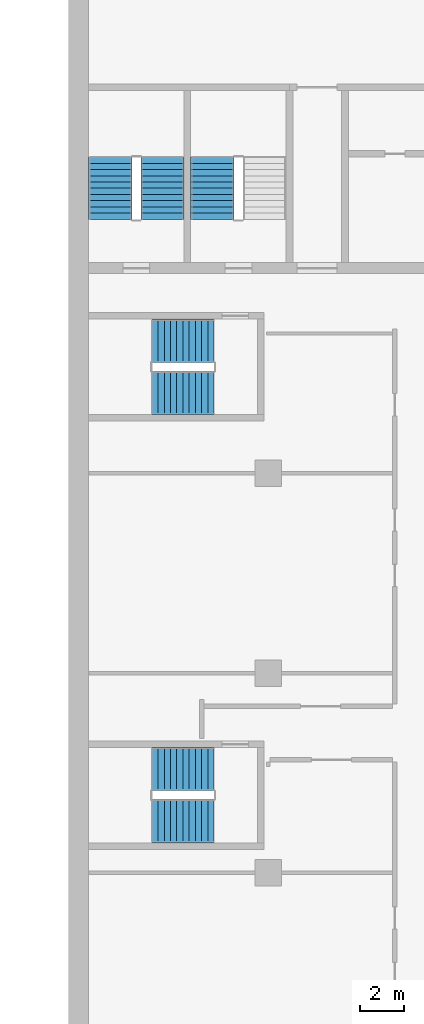
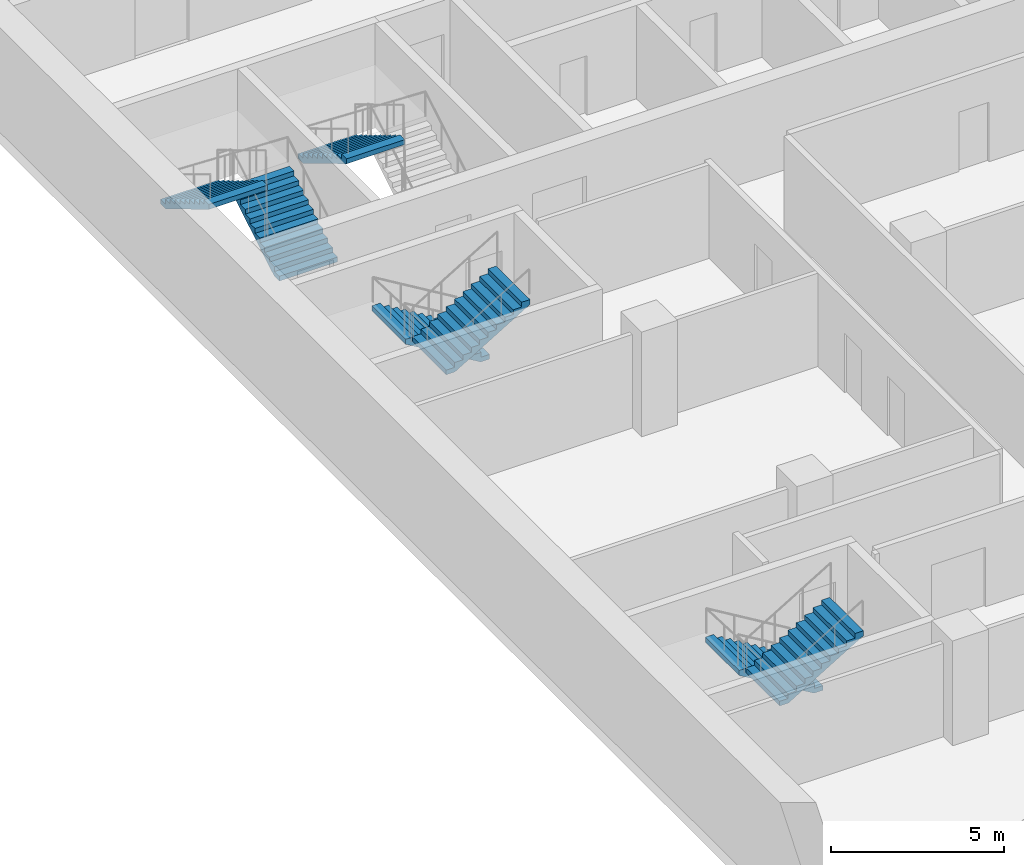
# One storey, part 15 of 22: 7 stair flights, 4 elements without a shape of their own.
"""IFC4 building model written with IfcOpenShell, lengths in metres."""

from ifc_helpers import new_model, si_unit, direction, frame, origin, place, context, subcontext, project, spatial, polyline, outline, extrude, material, type_object, element, aggregate, save


model = new_model("IFC4")

# Units and contexts
model_context = context("Model", 3, precision=1e-05, world=origin(), true_north=direction((0.0, 1.0)))
body_context = subcontext(model_context, "Body", "Model", "MODEL_VIEW")
ifc_project = project(units=[si_unit("LENGTHUNIT", "METRE"), si_unit("AREAUNIT", "SQUARE_METRE"), si_unit("VOLUMEUNIT", "CUBIC_METRE"), si_unit("PLANEANGLEUNIT", "RADIAN"), si_unit("MASSUNIT", "GRAM", prefix="KILO")], contexts=[model_context])

# Site, building, storey
site_placement = place(None, origin())
site = spatial("IfcSite", under=ifc_project, at=site_placement, CompositionType="ELEMENT")
building_placement = place(site_placement, origin())
building = spatial("IfcBuilding", under=site, at=building_placement, Name="Hunhe Ridgeline Campus", CompositionType="ELEMENT")
storey_placement = place(building_placement, frame((0.0, 0.0, 156.0)))
storey = spatial("IfcBuildingStorey", under=building, at=storey_placement, Name="L39", CompositionType="ELEMENT", Elevation=156.0)

# Stair, stair flights
ifc_material = material(Name="Concrete C40", Category="concrete")
stair_type = type_object("IfcStairType", Name="Reinforced concrete dog-leg stair 1950 Concrete C40", PredefinedType="HALF_TURN_STAIR", material=ifc_material)
stair_1_placement = place(storey_placement, origin())
stair_1 = element("IfcStair", 1, at=stair_1_placement, inside=storey, type_object=stair_type, Name="L39 S3", PredefinedType="HALF_TURN_STAIR")
stair_flight_type = type_object("IfcStairFlightType", Name="Reinforced concrete stair flight 1950 Concrete C40", PredefinedType="STRAIGHT", material=ifc_material)
stair_flight_1_placement = place(storey_placement, frame((4.22509765625, 65.449951171875, 0.0), z_axis=(0.0, 0.0, 1.0), x_axis=(0.0, 1.0, 0.0)))
stair_flight_1 = element("IfcStairFlight", 2, at=stair_flight_1_placement, type_object=stair_flight_type, Name="ST3 flight 1", NumberOfRisers=11, NumberOfTreads=10, PredefinedType="STRAIGHT", RiserHeight=0.168181818, TreadLength=0.28, context=body_context, shape_type="SweptSolid", body=[
    extrude(outline(polyline([(0.0, 0.0), (0.0, 0.168212890625), (0.280029296875, 0.168212890625), (0.280029296875, 0.33642578125), (0.56005859375, 0.33642578125), (0.56005859375, 0.504638671875), (0.840087890625, 0.504638671875), (0.840087890625, 0.672607421875), (1.1201171875, 0.672607421875), (1.1201171875, 0.8408203125), (1.39990234375, 0.8408203125), (1.39990234375, 1.009033203125), (1.679931640625, 1.009033203125), (1.679931640625, 1.17724609375), (1.9599609375, 1.17724609375), (1.9599609375, 1.345458984375), (2.239990234375, 1.345458984375), (2.239990234375, 1.513671875), (2.52001953125, 1.513671875), (2.52001953125, 1.681884765625), (2.800048828125, 1.681884765625), (2.800048828125, 1.85009765625), (2.800048828125, 1.5068359375), (0.291015625, 0.0), (0.0, 0.0)])), frame((0.0, 0.97509765625, 0.0), z_axis=(0.0, -1.0, 0.0), x_axis=(1.0, 0.0, 0.0)), (0.0, 0.0, 1.0), 1.949951171875),
    extrude(outline(polyline([(0.030029296875, 0.030029296875), (0.030029296875, 0.13818359375), (0.31005859375, 0.13818359375), (0.31005859375, 0.306396484375), (0.590087890625, 0.306396484375), (0.590087890625, 0.474609375), (0.8701171875, 0.474609375), (0.8701171875, 0.642578125), (1.14990234375, 0.642578125), (1.14990234375, 0.810791015625), (1.429931640625, 0.810791015625), (1.429931640625, 0.97900390625), (1.7099609375, 0.97900390625), (1.7099609375, 1.147216796875), (1.989990234375, 1.147216796875), (1.989990234375, 1.3154296875), (2.27001953125, 1.3154296875), (2.27001953125, 1.483642578125), (2.550048828125, 1.483642578125), (2.550048828125, 1.65185546875), (2.77001953125, 1.65185546875), (2.77001953125, 1.52392578125), (0.28271484375, 0.030029296875), (0.030029296875, 0.030029296875)])), frame((0.0, -0.070068359375, 0.0), z_axis=(0.0, -1.0, 0.0), x_axis=(1.0, 0.0, 0.0)), (0.0, 0.0, 1.0), 0.019775390625),
    extrude(outline(polyline([(0.030029296875, 0.030029296875), (0.030029296875, 0.13818359375), (0.31005859375, 0.13818359375), (0.31005859375, 0.306396484375), (0.590087890625, 0.306396484375), (0.590087890625, 0.474609375), (0.8701171875, 0.474609375), (0.8701171875, 0.642578125), (1.14990234375, 0.642578125), (1.14990234375, 0.810791015625), (1.429931640625, 0.810791015625), (1.429931640625, 0.97900390625), (1.7099609375, 0.97900390625), (1.7099609375, 1.147216796875), (1.989990234375, 1.147216796875), (1.989990234375, 1.3154296875), (2.27001953125, 1.3154296875), (2.27001953125, 1.483642578125), (2.550048828125, 1.483642578125), (2.550048828125, 1.65185546875), (2.77001953125, 1.65185546875), (2.77001953125, 1.52392578125), (0.28271484375, 0.030029296875), (0.030029296875, 0.030029296875)])), frame((0.0, 0.010009765625, 0.0), z_axis=(0.0, -1.0, 0.0), x_axis=(1.0, 0.0, 0.0)), (0.0, 0.0, 1.0), 0.019775390625),
    extrude(outline(polyline([(0.030029296875, 0.030029296875), (0.030029296875, 0.13818359375), (0.31005859375, 0.13818359375), (0.31005859375, 0.306396484375), (0.590087890625, 0.306396484375), (0.590087890625, 0.474609375), (0.8701171875, 0.474609375), (0.8701171875, 0.642578125), (1.14990234375, 0.642578125), (1.14990234375, 0.810791015625), (1.429931640625, 0.810791015625), (1.429931640625, 0.97900390625), (1.7099609375, 0.97900390625), (1.7099609375, 1.147216796875), (1.989990234375, 1.147216796875), (1.989990234375, 1.3154296875), (2.27001953125, 1.3154296875), (2.27001953125, 1.483642578125), (2.550048828125, 1.483642578125), (2.550048828125, 1.65185546875), (2.77001953125, 1.65185546875), (2.77001953125, 1.52392578125), (0.28271484375, 0.030029296875), (0.030029296875, 0.030029296875)])), frame((0.0, 0.090087890625, 0.0), z_axis=(0.0, -1.0, 0.0), x_axis=(1.0, 0.0, 0.0)), (0.0, 0.0, 1.0), 0.019775390625),
])
stair_flight_2_placement = place(storey_placement, frame((1.875, 68.25, 1.85009765625), z_axis=(0.0, 0.0, 1.0), x_axis=(0.0, -1.0, 0.0)))
stair_flight_2 = element("IfcStairFlight", 3, at=stair_flight_2_placement, type_object=stair_flight_type, Name="ST3 flight 2", NumberOfRisers=11, NumberOfTreads=10, PredefinedType="STRAIGHT", RiserHeight=0.168181818, TreadLength=0.28, context=body_context, shape_type="SweptSolid", body=[
    extrude(outline(polyline([(0.0, 0.0), (0.0, 0.168212890625), (0.280029296875, 0.168212890625), (0.280029296875, 0.33642578125), (0.56005859375, 0.33642578125), (0.56005859375, 0.504638671875), (0.840087890625, 0.504638671875), (0.840087890625, 0.672607421875), (1.1201171875, 0.672607421875), (1.1201171875, 0.8408203125), (1.39990234375, 0.8408203125), (1.39990234375, 1.009033203125), (1.679931640625, 1.009033203125), (1.679931640625, 1.17724609375), (1.9599609375, 1.17724609375), (1.9599609375, 1.345458984375), (2.239990234375, 1.345458984375), (2.239990234375, 1.513671875), (2.52001953125, 1.513671875), (2.52001953125, 1.681884765625), (2.800048828125, 1.681884765625), (2.800048828125, 1.85009765625), (2.800048828125, 1.5068359375), (0.291015625, 0.0), (0.0, 0.0)])), frame((0.0, 0.97509765625, 0.0), z_axis=(0.0, -1.0, 0.0), x_axis=(1.0, 0.0, 0.0)), (0.0, 0.0, 1.0), 1.949951171875),
    extrude(outline(polyline([(0.030029296875, 0.030029296875), (0.030029296875, 0.13818359375), (0.31005859375, 0.13818359375), (0.31005859375, 0.306396484375), (0.590087890625, 0.306396484375), (0.590087890625, 0.474609375), (0.8701171875, 0.474609375), (0.8701171875, 0.642578125), (1.14990234375, 0.642578125), (1.14990234375, 0.810791015625), (1.429931640625, 0.810791015625), (1.429931640625, 0.97900390625), (1.7099609375, 0.97900390625), (1.7099609375, 1.147216796875), (1.989990234375, 1.147216796875), (1.989990234375, 1.3154296875), (2.27001953125, 1.3154296875), (2.27001953125, 1.483642578125), (2.550048828125, 1.483642578125), (2.550048828125, 1.65185546875), (2.77001953125, 1.65185546875), (2.77001953125, 1.52392578125), (0.28271484375, 0.030029296875), (0.030029296875, 0.030029296875)])), frame((0.0, -0.070068359375, 0.0), z_axis=(0.0, -1.0, 0.0), x_axis=(1.0, 0.0, 0.0)), (0.0, 0.0, 1.0), 0.019775390625),
    extrude(outline(polyline([(0.030029296875, 0.030029296875), (0.030029296875, 0.13818359375), (0.31005859375, 0.13818359375), (0.31005859375, 0.306396484375), (0.590087890625, 0.306396484375), (0.590087890625, 0.474609375), (0.8701171875, 0.474609375), (0.8701171875, 0.642578125), (1.14990234375, 0.642578125), (1.14990234375, 0.810791015625), (1.429931640625, 0.810791015625), (1.429931640625, 0.97900390625), (1.7099609375, 0.97900390625), (1.7099609375, 1.147216796875), (1.989990234375, 1.147216796875), (1.989990234375, 1.3154296875), (2.27001953125, 1.3154296875), (2.27001953125, 1.483642578125), (2.550048828125, 1.483642578125), (2.550048828125, 1.65185546875), (2.77001953125, 1.65185546875), (2.77001953125, 1.52392578125), (0.28271484375, 0.030029296875), (0.030029296875, 0.030029296875)])), frame((0.0, 0.010009765625, 0.0), z_axis=(0.0, -1.0, 0.0), x_axis=(1.0, 0.0, 0.0)), (0.0, 0.0, 1.0), 0.019775390625),
    extrude(outline(polyline([(0.030029296875, 0.030029296875), (0.030029296875, 0.13818359375), (0.31005859375, 0.13818359375), (0.31005859375, 0.306396484375), (0.590087890625, 0.306396484375), (0.590087890625, 0.474609375), (0.8701171875, 0.474609375), (0.8701171875, 0.642578125), (1.14990234375, 0.642578125), (1.14990234375, 0.810791015625), (1.429931640625, 0.810791015625), (1.429931640625, 0.97900390625), (1.7099609375, 0.97900390625), (1.7099609375, 1.147216796875), (1.989990234375, 1.147216796875), (1.989990234375, 1.3154296875), (2.27001953125, 1.3154296875), (2.27001953125, 1.483642578125), (2.550048828125, 1.483642578125), (2.550048828125, 1.65185546875), (2.77001953125, 1.65185546875), (2.77001953125, 1.52392578125), (0.28271484375, 0.030029296875), (0.030029296875, 0.030029296875)])), frame((0.0, 0.090087890625, 0.0), z_axis=(0.0, -1.0, 0.0), x_axis=(1.0, 0.0, 0.0)), (0.0, 0.0, 1.0), 0.019775390625),
])
aggregate(stair_1, [stair_flight_1, stair_flight_2])

# Stair, stair flight
stair_2_placement = place(storey_placement, origin())
stair_2 = element("IfcStair", 4, at=stair_2_placement, inside=storey, type_object=stair_type, Name="L39 S4", PredefinedType="HALF_TURN_STAIR")
stair_flight_3_placement = place(storey_placement, frame((6.47509765625, 68.25, 1.85009765625), z_axis=(0.0, 0.0, 1.0), x_axis=(0.0, -1.0, 0.0)))
stair_flight_3 = element("IfcStairFlight", 5, at=stair_flight_3_placement, type_object=stair_flight_type, Name="ST4 flight 2", NumberOfRisers=11, NumberOfTreads=10, PredefinedType="STRAIGHT", RiserHeight=0.168181818, TreadLength=0.28, context=body_context, shape_type="SweptSolid", body=[
    extrude(outline(polyline([(0.0, 0.0), (0.0, 0.168212890625), (0.280029296875, 0.168212890625), (0.280029296875, 0.33642578125), (0.56005859375, 0.33642578125), (0.56005859375, 0.504638671875), (0.840087890625, 0.504638671875), (0.840087890625, 0.672607421875), (1.1201171875, 0.672607421875), (1.1201171875, 0.8408203125), (1.39990234375, 0.8408203125), (1.39990234375, 1.009033203125), (1.679931640625, 1.009033203125), (1.679931640625, 1.17724609375), (1.9599609375, 1.17724609375), (1.9599609375, 1.345458984375), (2.239990234375, 1.345458984375), (2.239990234375, 1.513671875), (2.52001953125, 1.513671875), (2.52001953125, 1.681884765625), (2.800048828125, 1.681884765625), (2.800048828125, 1.85009765625), (2.800048828125, 1.5068359375), (0.291015625, 0.0), (0.0, 0.0)])), frame((0.0, 0.97509765625, 0.0), z_axis=(0.0, -1.0, 0.0), x_axis=(1.0, 0.0, 0.0)), (0.0, 0.0, 1.0), 1.949951171875),
    extrude(outline(polyline([(0.030029296875, 0.030029296875), (0.030029296875, 0.13818359375), (0.31005859375, 0.13818359375), (0.31005859375, 0.306396484375), (0.590087890625, 0.306396484375), (0.590087890625, 0.474609375), (0.8701171875, 0.474609375), (0.8701171875, 0.642578125), (1.14990234375, 0.642578125), (1.14990234375, 0.810791015625), (1.429931640625, 0.810791015625), (1.429931640625, 0.97900390625), (1.7099609375, 0.97900390625), (1.7099609375, 1.147216796875), (1.989990234375, 1.147216796875), (1.989990234375, 1.3154296875), (2.27001953125, 1.3154296875), (2.27001953125, 1.483642578125), (2.550048828125, 1.483642578125), (2.550048828125, 1.65185546875), (2.77001953125, 1.65185546875), (2.77001953125, 1.52392578125), (0.28271484375, 0.030029296875), (0.030029296875, 0.030029296875)])), frame((0.0, -0.070068359375, 0.0), z_axis=(0.0, -1.0, 0.0), x_axis=(1.0, 0.0, 0.0)), (0.0, 0.0, 1.0), 0.019775390625),
    extrude(outline(polyline([(0.030029296875, 0.030029296875), (0.030029296875, 0.13818359375), (0.31005859375, 0.13818359375), (0.31005859375, 0.306396484375), (0.590087890625, 0.306396484375), (0.590087890625, 0.474609375), (0.8701171875, 0.474609375), (0.8701171875, 0.642578125), (1.14990234375, 0.642578125), (1.14990234375, 0.810791015625), (1.429931640625, 0.810791015625), (1.429931640625, 0.97900390625), (1.7099609375, 0.97900390625), (1.7099609375, 1.147216796875), (1.989990234375, 1.147216796875), (1.989990234375, 1.3154296875), (2.27001953125, 1.3154296875), (2.27001953125, 1.483642578125), (2.550048828125, 1.483642578125), (2.550048828125, 1.65185546875), (2.77001953125, 1.65185546875), (2.77001953125, 1.52392578125), (0.28271484375, 0.030029296875), (0.030029296875, 0.030029296875)])), frame((0.0, 0.010009765625, 0.0), z_axis=(0.0, -1.0, 0.0), x_axis=(1.0, 0.0, 0.0)), (0.0, 0.0, 1.0), 0.019775390625),
    extrude(outline(polyline([(0.030029296875, 0.030029296875), (0.030029296875, 0.13818359375), (0.31005859375, 0.13818359375), (0.31005859375, 0.306396484375), (0.590087890625, 0.306396484375), (0.590087890625, 0.474609375), (0.8701171875, 0.474609375), (0.8701171875, 0.642578125), (1.14990234375, 0.642578125), (1.14990234375, 0.810791015625), (1.429931640625, 0.810791015625), (1.429931640625, 0.97900390625), (1.7099609375, 0.97900390625), (1.7099609375, 1.147216796875), (1.989990234375, 1.147216796875), (1.989990234375, 1.3154296875), (2.27001953125, 1.3154296875), (2.27001953125, 1.483642578125), (2.550048828125, 1.483642578125), (2.550048828125, 1.65185546875), (2.77001953125, 1.65185546875), (2.77001953125, 1.52392578125), (0.28271484375, 0.030029296875), (0.030029296875, 0.030029296875)])), frame((0.0, 0.090087890625, 0.0), z_axis=(0.0, -1.0, 0.0), x_axis=(1.0, 0.0, 0.0)), (0.0, 0.0, 1.0), 0.019775390625),
])
aggregate(stair_2, [stair_flight_3])

# Stair, stair flights
stair_3_placement = place(storey_placement, origin())
stair_3 = element("IfcStair", 6, at=stair_3_placement, inside=storey, type_object=stair_type, Name="L39 W1", PredefinedType="HALF_TURN_STAIR")
stair_flight_4_placement = place(storey_placement, frame((6.550048828125, 40.675048828125, 0.0), z_axis=(0.0, 0.0, 1.0), x_axis=(-1.0, 0.0, 0.0)))
stair_flight_4 = element("IfcStairFlight", 7, at=stair_flight_4_placement, type_object=stair_flight_type, Name="ST11 flight 1", NumberOfRisers=11, NumberOfTreads=10, PredefinedType="STRAIGHT", RiserHeight=0.168181818, TreadLength=0.28, context=body_context, shape_type="SweptSolid", body=[
    extrude(outline(polyline([(0.0, 0.0), (0.0, 0.168212890625), (0.280029296875, 0.168212890625), (0.280029296875, 0.33642578125), (0.56005859375, 0.33642578125), (0.56005859375, 0.504638671875), (0.840087890625, 0.504638671875), (0.840087890625, 0.672607421875), (1.1201171875, 0.672607421875), (1.1201171875, 0.8408203125), (1.39990234375, 0.8408203125), (1.39990234375, 1.009033203125), (1.679931640625, 1.009033203125), (1.679931640625, 1.17724609375), (1.9599609375, 1.17724609375), (1.9599609375, 1.345458984375), (2.239990234375, 1.345458984375), (2.239990234375, 1.513671875), (2.52001953125, 1.513671875), (2.52001953125, 1.681884765625), (2.800048828125, 1.681884765625), (2.800048828125, 1.85009765625), (2.800048828125, 1.5068359375), (0.291015625, 0.0), (0.0, 0.0)])), frame((0.0, 0.97509765625, 0.0), z_axis=(0.0, -1.0, 0.0), x_axis=(1.0, 0.0, 0.0)), (0.0, 0.0, 1.0), 1.949951171875),
    extrude(outline(polyline([(0.030029296875, 0.030029296875), (0.030029296875, 0.13818359375), (0.31005859375, 0.13818359375), (0.31005859375, 0.306396484375), (0.590087890625, 0.306396484375), (0.590087890625, 0.474609375), (0.8701171875, 0.474609375), (0.8701171875, 0.642578125), (1.14990234375, 0.642578125), (1.14990234375, 0.810791015625), (1.429931640625, 0.810791015625), (1.429931640625, 0.97900390625), (1.7099609375, 0.97900390625), (1.7099609375, 1.147216796875), (1.989990234375, 1.147216796875), (1.989990234375, 1.3154296875), (2.27001953125, 1.3154296875), (2.27001953125, 1.483642578125), (2.550048828125, 1.483642578125), (2.550048828125, 1.65185546875), (2.77001953125, 1.65185546875), (2.77001953125, 1.52392578125), (0.28271484375, 0.030029296875), (0.030029296875, 0.030029296875)])), frame((0.0, -0.070068359375, 0.0), z_axis=(0.0, -1.0, 0.0), x_axis=(1.0, 0.0, 0.0)), (0.0, 0.0, 1.0), 0.019775390625),
    extrude(outline(polyline([(0.030029296875, 0.030029296875), (0.030029296875, 0.13818359375), (0.31005859375, 0.13818359375), (0.31005859375, 0.306396484375), (0.590087890625, 0.306396484375), (0.590087890625, 0.474609375), (0.8701171875, 0.474609375), (0.8701171875, 0.642578125), (1.14990234375, 0.642578125), (1.14990234375, 0.810791015625), (1.429931640625, 0.810791015625), (1.429931640625, 0.97900390625), (1.7099609375, 0.97900390625), (1.7099609375, 1.147216796875), (1.989990234375, 1.147216796875), (1.989990234375, 1.3154296875), (2.27001953125, 1.3154296875), (2.27001953125, 1.483642578125), (2.550048828125, 1.483642578125), (2.550048828125, 1.65185546875), (2.77001953125, 1.65185546875), (2.77001953125, 1.52392578125), (0.28271484375, 0.030029296875), (0.030029296875, 0.030029296875)])), frame((0.0, 0.010009765625, 0.0), z_axis=(0.0, -1.0, 0.0), x_axis=(1.0, 0.0, 0.0)), (0.0, 0.0, 1.0), 0.019775390625),
    extrude(outline(polyline([(0.030029296875, 0.030029296875), (0.030029296875, 0.13818359375), (0.31005859375, 0.13818359375), (0.31005859375, 0.306396484375), (0.590087890625, 0.306396484375), (0.590087890625, 0.474609375), (0.8701171875, 0.474609375), (0.8701171875, 0.642578125), (1.14990234375, 0.642578125), (1.14990234375, 0.810791015625), (1.429931640625, 0.810791015625), (1.429931640625, 0.97900390625), (1.7099609375, 0.97900390625), (1.7099609375, 1.147216796875), (1.989990234375, 1.147216796875), (1.989990234375, 1.3154296875), (2.27001953125, 1.3154296875), (2.27001953125, 1.483642578125), (2.550048828125, 1.483642578125), (2.550048828125, 1.65185546875), (2.77001953125, 1.65185546875), (2.77001953125, 1.52392578125), (0.28271484375, 0.030029296875), (0.030029296875, 0.030029296875)])), frame((0.0, 0.090087890625, 0.0), z_axis=(0.0, -1.0, 0.0), x_axis=(1.0, 0.0, 0.0)), (0.0, 0.0, 1.0), 0.019775390625),
])
stair_flight_5_placement = place(storey_placement, frame((3.75, 38.324951171875, 1.85009765625), z_axis=(0.0, 0.0, 1.0), x_axis=(1.0, 0.0, 0.0)))
stair_flight_5 = element("IfcStairFlight", 8, at=stair_flight_5_placement, type_object=stair_flight_type, Name="ST11 flight 2", NumberOfRisers=11, NumberOfTreads=10, PredefinedType="STRAIGHT", RiserHeight=0.168181818, TreadLength=0.28, context=body_context, shape_type="SweptSolid", body=[
    extrude(outline(polyline([(0.0, 0.0), (0.0, 0.168212890625), (0.280029296875, 0.168212890625), (0.280029296875, 0.33642578125), (0.56005859375, 0.33642578125), (0.56005859375, 0.504638671875), (0.840087890625, 0.504638671875), (0.840087890625, 0.672607421875), (1.1201171875, 0.672607421875), (1.1201171875, 0.8408203125), (1.39990234375, 0.8408203125), (1.39990234375, 1.009033203125), (1.679931640625, 1.009033203125), (1.679931640625, 1.17724609375), (1.9599609375, 1.17724609375), (1.9599609375, 1.345458984375), (2.239990234375, 1.345458984375), (2.239990234375, 1.513671875), (2.52001953125, 1.513671875), (2.52001953125, 1.681884765625), (2.800048828125, 1.681884765625), (2.800048828125, 1.85009765625), (2.800048828125, 1.5068359375), (0.291015625, 0.0), (0.0, 0.0)])), frame((0.0, 0.97509765625, 0.0), z_axis=(0.0, -1.0, 0.0), x_axis=(1.0, 0.0, 0.0)), (0.0, 0.0, 1.0), 1.949951171875),
    extrude(outline(polyline([(0.030029296875, 0.030029296875), (0.030029296875, 0.13818359375), (0.31005859375, 0.13818359375), (0.31005859375, 0.306396484375), (0.590087890625, 0.306396484375), (0.590087890625, 0.474609375), (0.8701171875, 0.474609375), (0.8701171875, 0.642578125), (1.14990234375, 0.642578125), (1.14990234375, 0.810791015625), (1.429931640625, 0.810791015625), (1.429931640625, 0.97900390625), (1.7099609375, 0.97900390625), (1.7099609375, 1.147216796875), (1.989990234375, 1.147216796875), (1.989990234375, 1.3154296875), (2.27001953125, 1.3154296875), (2.27001953125, 1.483642578125), (2.550048828125, 1.483642578125), (2.550048828125, 1.65185546875), (2.77001953125, 1.65185546875), (2.77001953125, 1.52392578125), (0.28271484375, 0.030029296875), (0.030029296875, 0.030029296875)])), frame((0.0, -0.070068359375, 0.0), z_axis=(0.0, -1.0, 0.0), x_axis=(1.0, 0.0, 0.0)), (0.0, 0.0, 1.0), 0.019775390625),
    extrude(outline(polyline([(0.030029296875, 0.030029296875), (0.030029296875, 0.13818359375), (0.31005859375, 0.13818359375), (0.31005859375, 0.306396484375), (0.590087890625, 0.306396484375), (0.590087890625, 0.474609375), (0.8701171875, 0.474609375), (0.8701171875, 0.642578125), (1.14990234375, 0.642578125), (1.14990234375, 0.810791015625), (1.429931640625, 0.810791015625), (1.429931640625, 0.97900390625), (1.7099609375, 0.97900390625), (1.7099609375, 1.147216796875), (1.989990234375, 1.147216796875), (1.989990234375, 1.3154296875), (2.27001953125, 1.3154296875), (2.27001953125, 1.483642578125), (2.550048828125, 1.483642578125), (2.550048828125, 1.65185546875), (2.77001953125, 1.65185546875), (2.77001953125, 1.52392578125), (0.28271484375, 0.030029296875), (0.030029296875, 0.030029296875)])), frame((0.0, 0.010009765625, 0.0), z_axis=(0.0, -1.0, 0.0), x_axis=(1.0, 0.0, 0.0)), (0.0, 0.0, 1.0), 0.019775390625),
    extrude(outline(polyline([(0.030029296875, 0.030029296875), (0.030029296875, 0.13818359375), (0.31005859375, 0.13818359375), (0.31005859375, 0.306396484375), (0.590087890625, 0.306396484375), (0.590087890625, 0.474609375), (0.8701171875, 0.474609375), (0.8701171875, 0.642578125), (1.14990234375, 0.642578125), (1.14990234375, 0.810791015625), (1.429931640625, 0.810791015625), (1.429931640625, 0.97900390625), (1.7099609375, 0.97900390625), (1.7099609375, 1.147216796875), (1.989990234375, 1.147216796875), (1.989990234375, 1.3154296875), (2.27001953125, 1.3154296875), (2.27001953125, 1.483642578125), (2.550048828125, 1.483642578125), (2.550048828125, 1.65185546875), (2.77001953125, 1.65185546875), (2.77001953125, 1.52392578125), (0.28271484375, 0.030029296875), (0.030029296875, 0.030029296875)])), frame((0.0, 0.090087890625, 0.0), z_axis=(0.0, -1.0, 0.0), x_axis=(1.0, 0.0, 0.0)), (0.0, 0.0, 1.0), 0.019775390625),
])
aggregate(stair_3, [stair_flight_4, stair_flight_5])

stair_4_placement = place(storey_placement, origin())
stair_4 = element("IfcStair", 9, at=stair_4_placement, inside=storey, type_object=stair_type, Name="L39 W2", PredefinedType="HALF_TURN_STAIR")
stair_flight_6_placement = place(storey_placement, frame((6.550048828125, 59.97509765625, 0.0), z_axis=(0.0, 0.0, 1.0), x_axis=(-1.0, 0.0, 0.0)))
stair_flight_6 = element("IfcStairFlight", 10, at=stair_flight_6_placement, type_object=stair_flight_type, Name="ST12 flight 1", NumberOfRisers=11, NumberOfTreads=10, PredefinedType="STRAIGHT", RiserHeight=0.168181818, TreadLength=0.28, context=body_context, shape_type="SweptSolid", body=[
    extrude(outline(polyline([(0.0, 0.0), (0.0, 0.168212890625), (0.280029296875, 0.168212890625), (0.280029296875, 0.33642578125), (0.56005859375, 0.33642578125), (0.56005859375, 0.504638671875), (0.840087890625, 0.504638671875), (0.840087890625, 0.672607421875), (1.1201171875, 0.672607421875), (1.1201171875, 0.8408203125), (1.39990234375, 0.8408203125), (1.39990234375, 1.009033203125), (1.679931640625, 1.009033203125), (1.679931640625, 1.17724609375), (1.9599609375, 1.17724609375), (1.9599609375, 1.345458984375), (2.239990234375, 1.345458984375), (2.239990234375, 1.513671875), (2.52001953125, 1.513671875), (2.52001953125, 1.681884765625), (2.800048828125, 1.681884765625), (2.800048828125, 1.85009765625), (2.800048828125, 1.5068359375), (0.291015625, 0.0), (0.0, 0.0)])), frame((0.0, 0.97509765625, 0.0), z_axis=(0.0, -1.0, 0.0), x_axis=(1.0, 0.0, 0.0)), (0.0, 0.0, 1.0), 1.949951171875),
    extrude(outline(polyline([(0.030029296875, 0.030029296875), (0.030029296875, 0.13818359375), (0.31005859375, 0.13818359375), (0.31005859375, 0.306396484375), (0.590087890625, 0.306396484375), (0.590087890625, 0.474609375), (0.8701171875, 0.474609375), (0.8701171875, 0.642578125), (1.14990234375, 0.642578125), (1.14990234375, 0.810791015625), (1.429931640625, 0.810791015625), (1.429931640625, 0.97900390625), (1.7099609375, 0.97900390625), (1.7099609375, 1.147216796875), (1.989990234375, 1.147216796875), (1.989990234375, 1.3154296875), (2.27001953125, 1.3154296875), (2.27001953125, 1.483642578125), (2.550048828125, 1.483642578125), (2.550048828125, 1.65185546875), (2.77001953125, 1.65185546875), (2.77001953125, 1.52392578125), (0.28271484375, 0.030029296875), (0.030029296875, 0.030029296875)])), frame((0.0, -0.070068359375, 0.0), z_axis=(0.0, -1.0, 0.0), x_axis=(1.0, 0.0, 0.0)), (0.0, 0.0, 1.0), 0.019775390625),
    extrude(outline(polyline([(0.030029296875, 0.030029296875), (0.030029296875, 0.13818359375), (0.31005859375, 0.13818359375), (0.31005859375, 0.306396484375), (0.590087890625, 0.306396484375), (0.590087890625, 0.474609375), (0.8701171875, 0.474609375), (0.8701171875, 0.642578125), (1.14990234375, 0.642578125), (1.14990234375, 0.810791015625), (1.429931640625, 0.810791015625), (1.429931640625, 0.97900390625), (1.7099609375, 0.97900390625), (1.7099609375, 1.147216796875), (1.989990234375, 1.147216796875), (1.989990234375, 1.3154296875), (2.27001953125, 1.3154296875), (2.27001953125, 1.483642578125), (2.550048828125, 1.483642578125), (2.550048828125, 1.65185546875), (2.77001953125, 1.65185546875), (2.77001953125, 1.52392578125), (0.28271484375, 0.030029296875), (0.030029296875, 0.030029296875)])), frame((0.0, 0.010009765625, 0.0), z_axis=(0.0, -1.0, 0.0), x_axis=(1.0, 0.0, 0.0)), (0.0, 0.0, 1.0), 0.019775390625),
    extrude(outline(polyline([(0.030029296875, 0.030029296875), (0.030029296875, 0.13818359375), (0.31005859375, 0.13818359375), (0.31005859375, 0.306396484375), (0.590087890625, 0.306396484375), (0.590087890625, 0.474609375), (0.8701171875, 0.474609375), (0.8701171875, 0.642578125), (1.14990234375, 0.642578125), (1.14990234375, 0.810791015625), (1.429931640625, 0.810791015625), (1.429931640625, 0.97900390625), (1.7099609375, 0.97900390625), (1.7099609375, 1.147216796875), (1.989990234375, 1.147216796875), (1.989990234375, 1.3154296875), (2.27001953125, 1.3154296875), (2.27001953125, 1.483642578125), (2.550048828125, 1.483642578125), (2.550048828125, 1.65185546875), (2.77001953125, 1.65185546875), (2.77001953125, 1.52392578125), (0.28271484375, 0.030029296875), (0.030029296875, 0.030029296875)])), frame((0.0, 0.090087890625, 0.0), z_axis=(0.0, -1.0, 0.0), x_axis=(1.0, 0.0, 0.0)), (0.0, 0.0, 1.0), 0.019775390625),
])
stair_flight_7_placement = place(storey_placement, frame((3.75, 57.625, 1.85009765625), z_axis=(0.0, 0.0, 1.0), x_axis=(1.0, 0.0, 0.0)))
stair_flight_7 = element("IfcStairFlight", 11, at=stair_flight_7_placement, type_object=stair_flight_type, Name="ST12 flight 2", NumberOfRisers=11, NumberOfTreads=10, PredefinedType="STRAIGHT", RiserHeight=0.168181818, TreadLength=0.28, context=body_context, shape_type="SweptSolid", body=[
    extrude(outline(polyline([(0.0, 0.0), (0.0, 0.168212890625), (0.280029296875, 0.168212890625), (0.280029296875, 0.33642578125), (0.56005859375, 0.33642578125), (0.56005859375, 0.504638671875), (0.840087890625, 0.504638671875), (0.840087890625, 0.672607421875), (1.1201171875, 0.672607421875), (1.1201171875, 0.8408203125), (1.39990234375, 0.8408203125), (1.39990234375, 1.009033203125), (1.679931640625, 1.009033203125), (1.679931640625, 1.17724609375), (1.9599609375, 1.17724609375), (1.9599609375, 1.345458984375), (2.239990234375, 1.345458984375), (2.239990234375, 1.513671875), (2.52001953125, 1.513671875), (2.52001953125, 1.681884765625), (2.800048828125, 1.681884765625), (2.800048828125, 1.85009765625), (2.800048828125, 1.5068359375), (0.291015625, 0.0), (0.0, 0.0)])), frame((0.0, 0.97509765625, 0.0), z_axis=(0.0, -1.0, 0.0), x_axis=(1.0, 0.0, 0.0)), (0.0, 0.0, 1.0), 1.949951171875),
    extrude(outline(polyline([(0.030029296875, 0.030029296875), (0.030029296875, 0.13818359375), (0.31005859375, 0.13818359375), (0.31005859375, 0.306396484375), (0.590087890625, 0.306396484375), (0.590087890625, 0.474609375), (0.8701171875, 0.474609375), (0.8701171875, 0.642578125), (1.14990234375, 0.642578125), (1.14990234375, 0.810791015625), (1.429931640625, 0.810791015625), (1.429931640625, 0.97900390625), (1.7099609375, 0.97900390625), (1.7099609375, 1.147216796875), (1.989990234375, 1.147216796875), (1.989990234375, 1.3154296875), (2.27001953125, 1.3154296875), (2.27001953125, 1.483642578125), (2.550048828125, 1.483642578125), (2.550048828125, 1.65185546875), (2.77001953125, 1.65185546875), (2.77001953125, 1.52392578125), (0.28271484375, 0.030029296875), (0.030029296875, 0.030029296875)])), frame((0.0, -0.070068359375, 0.0), z_axis=(0.0, -1.0, 0.0), x_axis=(1.0, 0.0, 0.0)), (0.0, 0.0, 1.0), 0.019775390625),
    extrude(outline(polyline([(0.030029296875, 0.030029296875), (0.030029296875, 0.13818359375), (0.31005859375, 0.13818359375), (0.31005859375, 0.306396484375), (0.590087890625, 0.306396484375), (0.590087890625, 0.474609375), (0.8701171875, 0.474609375), (0.8701171875, 0.642578125), (1.14990234375, 0.642578125), (1.14990234375, 0.810791015625), (1.429931640625, 0.810791015625), (1.429931640625, 0.97900390625), (1.7099609375, 0.97900390625), (1.7099609375, 1.147216796875), (1.989990234375, 1.147216796875), (1.989990234375, 1.3154296875), (2.27001953125, 1.3154296875), (2.27001953125, 1.483642578125), (2.550048828125, 1.483642578125), (2.550048828125, 1.65185546875), (2.77001953125, 1.65185546875), (2.77001953125, 1.52392578125), (0.28271484375, 0.030029296875), (0.030029296875, 0.030029296875)])), frame((0.0, 0.010009765625, 0.0), z_axis=(0.0, -1.0, 0.0), x_axis=(1.0, 0.0, 0.0)), (0.0, 0.0, 1.0), 0.019775390625),
    extrude(outline(polyline([(0.030029296875, 0.030029296875), (0.030029296875, 0.13818359375), (0.31005859375, 0.13818359375), (0.31005859375, 0.306396484375), (0.590087890625, 0.306396484375), (0.590087890625, 0.474609375), (0.8701171875, 0.474609375), (0.8701171875, 0.642578125), (1.14990234375, 0.642578125), (1.14990234375, 0.810791015625), (1.429931640625, 0.810791015625), (1.429931640625, 0.97900390625), (1.7099609375, 0.97900390625), (1.7099609375, 1.147216796875), (1.989990234375, 1.147216796875), (1.989990234375, 1.3154296875), (2.27001953125, 1.3154296875), (2.27001953125, 1.483642578125), (2.550048828125, 1.483642578125), (2.550048828125, 1.65185546875), (2.77001953125, 1.65185546875), (2.77001953125, 1.52392578125), (0.28271484375, 0.030029296875), (0.030029296875, 0.030029296875)])), frame((0.0, 0.090087890625, 0.0), z_axis=(0.0, -1.0, 0.0), x_axis=(1.0, 0.0, 0.0)), (0.0, 0.0, 1.0), 0.019775390625),
])
aggregate(stair_4, [stair_flight_6, stair_flight_7])

save(model, "model.ifc")
